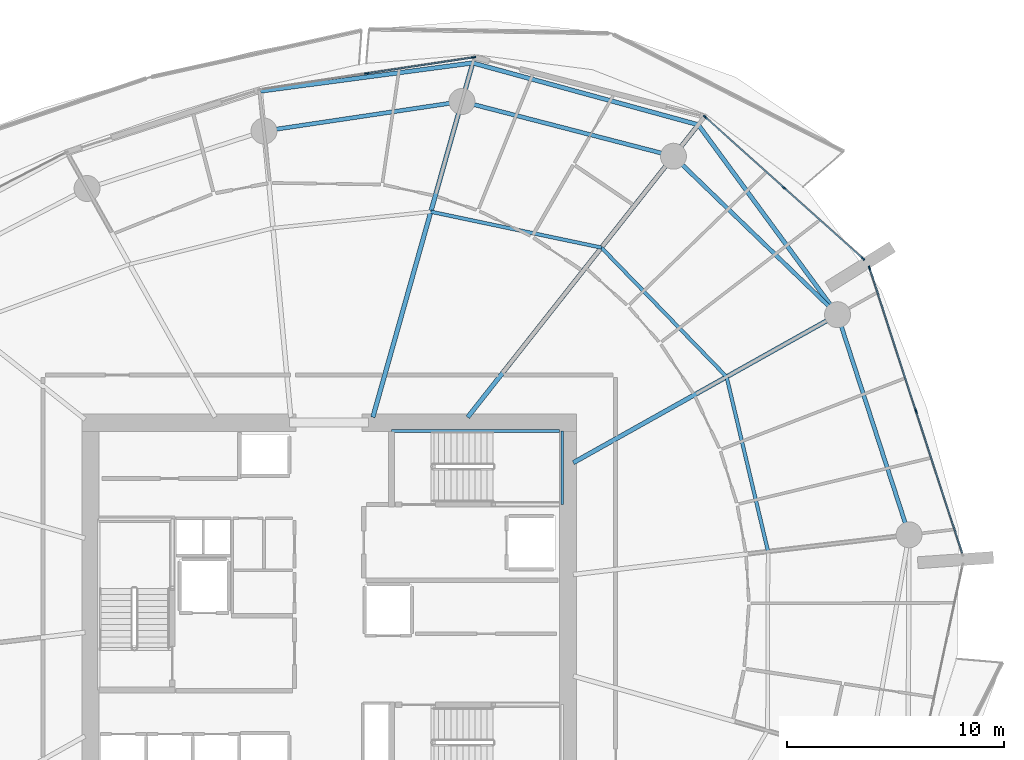
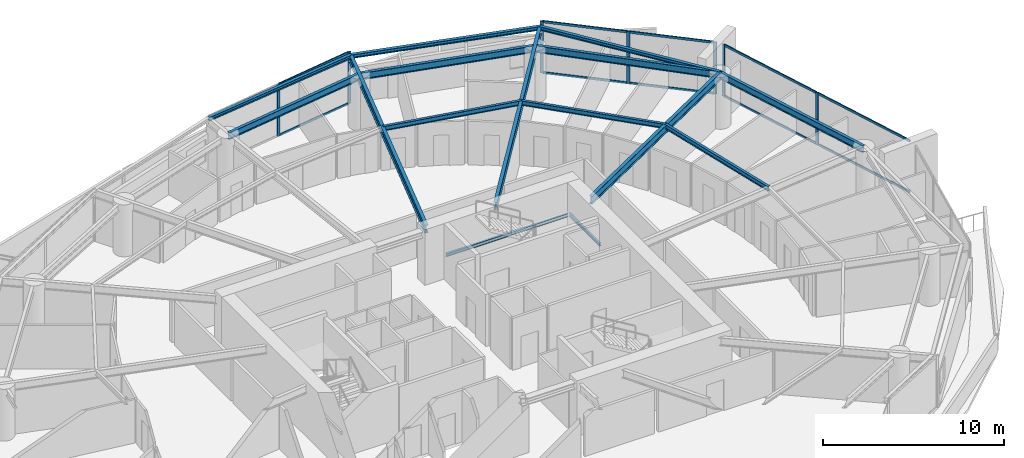
# One storey, part 9 of 23: 17 members, 15 beams, 3 elements without a shape of their own.
"""IFC4 building model written with IfcOpenShell, lengths in metres."""

import ifcopenshell
import ifcopenshell.guid

model = None  # the IFC model being written
_history = None  # IfcOwnerHistory: only IFC2X3 demands one
_inside = {}  # id of a spatial element -> (the spatial element, [elements in it])
_under = {}  # id of a project, library or spatial element -> (it, [spatial elements below it])
_declared = {}  # id of a project -> (the project, [libraries it declares])
_typed = {}  # id of a type object -> (the type object, [elements of that type])
_made_of = {}  # id of a material, layer set ... -> (it, [elements and type objects made of it])


def new_model(schema):
    """Start an empty IFC model of exactly this schema.

    Asked for "IFC4X3", IfcOpenShell would pick the latest addendum, in which some entities
    have other attributes; the version numbers below select the first issue.
    IFC2X3 requires an IfcOwnerHistory on every rooted entity: one is made here for all.
    """
    global model, _history
    if schema == "IFC4X3":
        model = ifcopenshell.file(schema_version=(4, 3, 0, 0))
    else:
        model = ifcopenshell.file(schema=schema)
    _inside.clear()
    _under.clear()
    _declared.clear()
    _typed.clear()
    _made_of.clear()
    _history = None
    if model.schema == "IFC2X3":
        org = make("IfcOrganization", Name="unknown")
        user = make(
            "IfcPersonAndOrganization",
            ThePerson=make("IfcPerson", FamilyName="unknown"),
            TheOrganization=org,
        )
        app = make(
            "IfcApplication",
            ApplicationDeveloper=org,
            Version="unknown",
            ApplicationFullName="unknown",
            ApplicationIdentifier="unknown",
        )
        _history = make(
            "IfcOwnerHistory",
            OwningUser=user,
            OwningApplication=app,
            ChangeAction="ADDED",
            CreationDate=0,
        )
    return model


def make(cls, **values):
    """One entity of the class cls with the attributes given. An attribute that is None is left unset."""
    return model.create_entity(
        cls, **{name: value for name, value in values.items() if value is not None}
    )


def rooted(cls, **values):
    """An entity with a GlobalId (a new one), such as an element, a storey or a relation."""
    return make(cls, GlobalId=ifcopenshell.guid.new(), OwnerHistory=_history, **values)


def si_unit(unit_type, name, prefix=None):
    """IfcSIUnit, for example si_unit("LENGTHUNIT", "METRE", prefix="MILLI")."""
    return make("IfcSIUnit", UnitType=unit_type, Prefix=prefix, Name=name)


def assignment(units):
    """IfcUnitAssignment: the units of a project."""
    return None if units is None else make("IfcUnitAssignment", Units=units)


def point(xyz):
    """IfcCartesianPoint."""
    return None if xyz is None else make("IfcCartesianPoint", Coordinates=xyz)


def direction(xyz):
    """IfcDirection."""
    return None if xyz is None else make("IfcDirection", DirectionRatios=xyz)


def frame(location, z_axis=None, x_axis=None):
    """IfcAxis2Placement3D, a coordinate frame: its origin and axes. An axis left out is left unset."""
    return make(
        "IfcAxis2Placement3D",
        Location=point(location),
        Axis=direction(z_axis),
        RefDirection=direction(x_axis),
    )


def frame_2d(location, x_axis=None):
    """IfcAxis2Placement2D, a coordinate frame in the plane: its origin and x axis."""
    return make(
        "IfcAxis2Placement2D", Location=point(location), RefDirection=direction(x_axis)
    )


def origin():
    """The frame at (0, 0, 0) with its axes left unset."""
    return frame((0.0, 0.0, 0.0))


def origin_2d():
    """The frame at (0, 0) in the plane with its x axis left unset."""
    return frame_2d((0.0, 0.0))


def place(relative_to, where):
    """IfcLocalPlacement: puts the frame where relative to a parent placement (None: the world)."""
    return make(
        "IfcLocalPlacement", PlacementRelTo=relative_to, RelativePlacement=where
    )


def context(
    kind, dimensions, precision=None, world=None, true_north=None, identifier=None
):
    """IfcGeometricRepresentationContext, for example the 3D "Model" context."""
    return make(
        "IfcGeometricRepresentationContext",
        ContextIdentifier=identifier,
        ContextType=kind,
        CoordinateSpaceDimension=dimensions,
        Precision=precision,
        WorldCoordinateSystem=world,
        TrueNorth=true_north,
    )


def subcontext(parent, identifier, kind, view, scale=None):
    """IfcGeometricRepresentationSubContext, for example "Body" below "Model"."""
    return make(
        "IfcGeometricRepresentationSubContext",
        ContextIdentifier=identifier,
        ContextType=kind,
        ParentContext=parent,
        TargetScale=scale,
        TargetView=view,
    )


def project(units=None, contexts=None):
    """IfcProject with its units and contexts."""
    return rooted(
        "IfcProject",
        Name="project",
        RepresentationContexts=contexts,
        UnitsInContext=assignment(units),
    )


def spatial(cls, under=None, at=None, **own):
    """A site, building, storey or space (cls), placed at a placement, below another one or the project."""
    s = rooted(cls, ObjectPlacement=at, **own)
    if under is not None:
        _under.setdefault(under.id(), (under, []))[1].append(s)
    return s


def profile(cls, at=None, kind="AREA", **sizes):
    """A parametric profile (cls). Its sizes go by their IFC names, for example OverallWidth=200.0."""
    return make(cls, ProfileType=kind, Position=at, **sizes)


def rectangle(**sizes):
    """IfcRectangleProfileDef."""
    return profile("IfcRectangleProfileDef", **sizes)


def i_section(**sizes):
    """IfcIShapeProfileDef."""
    return profile("IfcIShapeProfileDef", **sizes)


def extrude(swept, where, along, depth):
    """IfcExtrudedAreaSolid: the profile swept, set in the frame where, extruded along a direction by depth."""
    return make(
        "IfcExtrudedAreaSolid",
        SweptArea=swept,
        Position=where,
        ExtrudedDirection=direction(along),
        Depth=depth,
    )


def shape(context_of_items, identifier, shape_type, items):
    """IfcShapeRepresentation: the items that make up one representation, for example the "Body"."""
    return make(
        "IfcShapeRepresentation",
        ContextOfItems=context_of_items,
        RepresentationIdentifier=identifier,
        RepresentationType=shape_type,
        Items=items,
    )


def material(Name=None, Category=None):
    """IfcMaterial."""
    return make("IfcMaterial", Name=Name, Category=Category)


def layer(
    of_material, thickness, ventilated=None, Name=None, Category=None, Priority=None
):
    """IfcMaterialLayer: one layer of a wall or slab, of a material (None: an air gap)."""
    return make(
        "IfcMaterialLayer",
        Material=of_material,
        LayerThickness=thickness,
        IsVentilated=ventilated,
        Name=Name,
        Category=Category,
        Priority=Priority,
    )


def layer_set(layers, Name=None):
    """IfcMaterialLayerSet."""
    return make("IfcMaterialLayerSet", MaterialLayers=layers, LayerSetName=Name)


def material_profile(
    of_material, cross_section, Name=None, Category=None, Priority=None
):
    """IfcMaterialProfile: a cross section and its material."""
    return make(
        "IfcMaterialProfile",
        Name=Name,
        Material=of_material,
        Profile=cross_section,
        Priority=Priority,
        Category=Category,
    )


def profile_set(profiles, Name=None, composite=None):
    """IfcMaterialProfileSet."""
    return make(
        "IfcMaterialProfileSet",
        Name=Name,
        MaterialProfiles=profiles,
        CompositeProfile=composite,
    )


def made_of(thing, what):
    """Note that an element or type object is made of a material, layer set ...; save() writes the relation."""
    if what is not None:
        _made_of.setdefault(what.id(), (what, []))[1].append(thing)
    return thing


def type_object(cls, material=None, **own):
    """A type object (cls), such as IfcWallType, which elements share."""
    return made_of(rooted(cls, **own), material)


def element(
    cls,
    number,
    at=None,
    inside=None,
    cuts=None,
    type_object=None,
    material=None,
    context=None,
    identifier="Body",
    shape_type=None,
    held_by="IfcProductDefinitionShape",
    body=None,
    shapes=None,
    **own,
):
    """One element of the class cls, such as IfcWall. Its Tag is "e" and its number.

    at: its placement. inside: the storey or other place that contains it. cuts: it is an
    opening in that element (IfcRelVoidsElement). A single representation is given by context,
    identifier, shape_type and body (its items); several are given by shapes. held_by: the class
    of the entity that holds the representations. save() writes the other relations.
    """
    e = rooted(cls, Tag="e%d" % number, ObjectPlacement=at, **own)
    if body is not None:
        shapes = [shape(context, identifier, shape_type, body)]
    if shapes is not None:
        e.Representation = make(held_by, Representations=shapes)
    if inside is not None:
        _inside.setdefault(inside.id(), (inside, []))[1].append(e)
    if cuts is not None:
        rooted(
            "IfcRelVoidsElement", RelatingBuildingElement=cuts, RelatedOpeningElement=e
        )
    if type_object is not None:
        _typed.setdefault(type_object.id(), (type_object, []))[1].append(e)
    return made_of(e, material)


def aggregate(whole, parts):
    """IfcRelAggregates: a whole, such as a stair, and the parts it consists of."""
    return rooted("IfcRelAggregates", RelatingObject=whole, RelatedObjects=parts)


def save(model, path):
    """Write the relations noted so far, then the file.

    IfcRelAggregates (storeys below a building ...), IfcRelContainedInSpatialStructure (elements
    in a storey), IfcRelDefinesByType, IfcRelAssociatesMaterial and IfcRelDeclares: one each for
    every whole, place, type object, material and project.
    """
    for whole, parts in _under.values():
        aggregate(whole, parts)
    for where, things in _inside.values():
        rooted(
            "IfcRelContainedInSpatialStructure",
            RelatedElements=things,
            RelatingStructure=where,
        )
    for kind, things in _typed.values():
        rooted("IfcRelDefinesByType", RelatedObjects=things, RelatingType=kind)
    for what, things in _made_of.values():
        rooted("IfcRelAssociatesMaterial", RelatedObjects=things, RelatingMaterial=what)
    for by, libraries in _declared.values():
        rooted("IfcRelDeclares", RelatingContext=by, RelatedDefinitions=libraries)
    model.write(path)


model = new_model("IFC4")

# Units and contexts
model_context = context("Model", 3, precision=1e-05, world=origin(), true_north=direction((0.0, 1.0)))
body_context = subcontext(model_context, "Body", "Model", "MODEL_VIEW")
ifc_project = project(units=[si_unit("LENGTHUNIT", "METRE"), si_unit("AREAUNIT", "SQUARE_METRE"), si_unit("VOLUMEUNIT", "CUBIC_METRE"), si_unit("PLANEANGLEUNIT", "RADIAN"), si_unit("MASSUNIT", "GRAM", prefix="KILO")], contexts=[model_context])

# Site, building, storey
site_placement = place(None, origin())
site = spatial("IfcSite", under=ifc_project, at=site_placement, CompositionType="ELEMENT")
building_placement = place(site_placement, origin())
building = spatial("IfcBuilding", under=site, at=building_placement, Name="Kazma Halo Residences", CompositionType="ELEMENT")
storey_placement = place(building_placement, frame((0.0, 0.0, 108.89990234375)))
storey = spatial("IfcBuildingStorey", under=building, at=storey_placement, Name="L27", CompositionType="ELEMENT", Elevation=108.89990234375)

# Beams
ifc_material_1 = material(Name="Steel S355", Category="steel")
ifc_material_profile_1 = material_profile(ifc_material_1, i_section(OverallWidth=0.201904296875, OverallDepth=0.2470703125, WebThickness=0.00732421875, FlangeThickness=0.010986328125, FilletRadius=0.011962890625, at=origin_2d()), Name="W250x49.1")
ifc_profile_set_1 = profile_set([ifc_material_profile_1], Name="Steel S355")
beam_type_1 = type_object("IfcBeamType", Name="BM-BAL-CANT", PredefinedType="BEAM", material=ifc_profile_set_1)
beam_1_placement = place(storey_placement, frame((71.9033203125, 55.386474609375, 3.376708984375), z_axis=(-0.59144927253, 0.806342209005, 0.0), x_axis=(-0.806342209005, -0.59144927253, 0.0)))
element("IfcBeam", 1, at=beam_1_placement, inside=storey, type_object=beam_type_1, Name="L27 wave-balcony lead tie beam 01", PredefinedType="BEAM", context=body_context, shape_type="SweptSolid", body=[
    extrude(i_section(OverallWidth=0.201904296875, OverallDepth=0.2470703125, WebThickness=0.00732421875, FlangeThickness=0.010986328125, FilletRadius=0.011962890625, at=origin_2d()), origin(), (0.0, 0.0, 1.0), 10.87939453125),
])
beam_2_placement = place(storey_placement, frame((65.46875, 64.158935546875, 3.376708984375), z_axis=(-0.964396617, 0.264460139, 0.0), x_axis=(-0.264460139, -0.964396617, 0.0)))
element("IfcBeam", 2, at=beam_2_placement, inside=storey, type_object=beam_type_1, Name="L27 wave-balcony tie beam 02", PredefinedType="BEAM", context=body_context, shape_type="SweptSolid", body=[
    extrude(i_section(OverallWidth=0.201904296875, OverallDepth=0.2470703125, WebThickness=0.00732421875, FlangeThickness=0.010986328125, FilletRadius=0.011962890625, at=origin_2d()), origin(), (0.0, 0.0, 1.0), 10.79833984375),
])
beam_3_placement = place(storey_placement, frame((55.054931640625, 67.0146484375, 3.376708984375), z_axis=(-0.991294955884, -0.131659828494, 0.0), x_axis=(0.131659828494, -0.991294955884, 0.0)))
element("IfcBeam", 3, at=beam_3_placement, inside=storey, type_object=beam_type_1, Name="L27 wave-balcony tie beam 03", PredefinedType="BEAM", context=body_context, shape_type="SweptSolid", body=[
    extrude(i_section(OverallWidth=0.201904296875, OverallDepth=0.2470703125, WebThickness=0.00732421875, FlangeThickness=0.010986328125, FilletRadius=0.011962890625, at=origin_2d()), origin(), (0.0, 0.0, 1.0), 9.902099609375),
])
ifc_material_profile_2 = material_profile(ifc_material_1, i_section(OverallWidth=0.208984375, OverallDepth=0.532958984375, WebThickness=0.01025390625, FlangeThickness=0.015625, FilletRadius=0.01611328125, at=origin_2d()), Name="W530x92")
ifc_profile_set_2 = profile_set([ifc_material_profile_2], Name="Steel S355")
beam_type_2 = type_object("IfcBeamType", Name="BM-RAD-W530", PredefinedType="BEAM", material=ifc_profile_set_2)
beam_4_placement = place(storey_placement, frame((59.699951171875, 48.55224609375, 3.233642578125), z_axis=(0.87249559794, 0.488621972055, 0.0), x_axis=(-0.488621972055, 0.87249559794, 0.0)))
element("IfcBeam", 4, at=beam_4_placement, inside=storey, type_object=beam_type_2, Name="L27 radial floor beam 01", PredefinedType="BEAM", context=body_context, shape_type="SweptSolid", body=[
    extrude(i_section(OverallWidth=0.208984375, OverallDepth=0.532958984375, WebThickness=0.01025390625, FlangeThickness=0.015625, FilletRadius=0.01611328125, at=origin_2d()), origin(), (0.0, 0.0, 1.0), 13.98681640625),
])
beam_5_placement = place(storey_placement, frame((54.819091796875, 50.64990234375, 3.233642578125), z_axis=(0.619093774822, 0.785317068436, 0.0), x_axis=(-0.785317068436, 0.619093774822, 0.0)))
element("IfcBeam", 5, at=beam_5_placement, inside=storey, type_object=beam_type_2, Name="L27 radial floor beam 02", PredefinedType="BEAM", context=body_context, shape_type="SweptSolid", body=[
    extrude(i_section(OverallWidth=0.208984375, OverallDepth=0.532958984375, WebThickness=0.01025390625, FlangeThickness=0.015625, FilletRadius=0.01611328125, at=origin_2d()), origin(), (0.0, 0.0, 1.0), 17.201904296875),
])
beam_6_placement = place(storey_placement, frame((50.439697265625, 50.64990234375, 3.233642578125), z_axis=(0.271434928076, 0.962456793742, 0.0), x_axis=(-0.962456793742, 0.271434928076, 0.0)))
element("IfcBeam", 6, at=beam_6_placement, inside=storey, type_object=beam_type_2, Name="L27 radial floor beam 03", PredefinedType="BEAM", context=body_context, shape_type="SweptSolid", body=[
    extrude(i_section(OverallWidth=0.208984375, OverallDepth=0.532958984375, WebThickness=0.01025390625, FlangeThickness=0.015625, FilletRadius=0.01611328125, at=origin_2d()), origin(), (0.0, 0.0, 1.0), 17.003173828125),
])
ifc_material_profile_3 = material_profile(ifc_material_1, i_section(OverallWidth=0.1650390625, OverallDepth=0.31005859375, WebThickness=0.005859375, FlangeThickness=0.009765625, FilletRadius=0.011962890625, at=origin_2d()), Name="W310x38.7")
ifc_profile_set_3 = profile_set([ifc_material_profile_3], Name="Steel S355")
beam_type_3 = type_object("IfcBeamType", Name="BM-SEC-W310B", PredefinedType="JOIST", material=ifc_profile_set_3)
beam_7_placement = place(storey_placement, frame((66.77783203125, 52.51611328125, 3.34521484375), z_axis=(-0.695765378161, 0.718269126827, 0.0), x_axis=(-0.718269126827, -0.695765378161, 0.0)))
element("IfcBeam", 7, at=beam_7_placement, inside=storey, type_object=beam_type_3, Name="L27 circumferential floor joist 01", PredefinedType="JOIST", context=body_context, shape_type="SweptSolid", body=[
    extrude(i_section(OverallWidth=0.1650390625, OverallDepth=0.31005859375, WebThickness=0.005859375, FlangeThickness=0.009765625, FilletRadius=0.011962890625, at=origin_2d()), origin(), (0.0, 0.0, 1.0), 8.310302734375),
])
beam_8_placement = place(storey_placement, frame((60.995849609375, 58.485107421875, 3.34521484375), z_axis=(-0.978607976751, 0.205733876255, 0.0), x_axis=(-0.205733876255, -0.978607976751, 0.0)))
element("IfcBeam", 8, at=beam_8_placement, inside=storey, type_object=beam_type_3, Name="L27 circumferential floor joist 02", PredefinedType="JOIST", context=body_context, shape_type="SweptSolid", body=[
    extrude(i_section(OverallWidth=0.1650390625, OverallDepth=0.31005859375, WebThickness=0.005859375, FlangeThickness=0.009765625, FilletRadius=0.011962890625, at=origin_2d()), origin(), (0.0, 0.0, 1.0), 8.051513671875),
])
beam_9_placement = place(storey_placement, frame((68.69384765625, 44.44921875, 3.34521484375), z_axis=(-0.231087064161, 0.972933075179, 0.0), x_axis=(-0.972933075179, -0.231087064161, 0.0)))
element("IfcBeam", 9, at=beam_9_placement, inside=storey, type_object=beam_type_3, Name="L27 circumferential floor joist 16", PredefinedType="JOIST", context=body_context, shape_type="SweptSolid", body=[
    extrude(i_section(OverallWidth=0.1650390625, OverallDepth=0.31005859375, WebThickness=0.005859375, FlangeThickness=0.009765625, FilletRadius=0.011962890625, at=origin_2d()), origin(), (0.0, 0.0, 1.0), 8.291259765625),
])
ifc_material_profile_4 = material_profile(ifc_material_1, i_section(OverallWidth=0.18994140625, OverallDepth=0.45703125, WebThickness=0.009033203125, FlangeThickness=0.014404296875, FilletRadius=0.01611328125, at=origin_2d()), Name="W460x74")
ifc_profile_set_4 = profile_set([ifc_material_profile_4], Name="Steel S355")
beam_type_4 = type_object("IfcBeamType", Name="BM-SPN-W460", PredefinedType="BEAM", material=ifc_profile_set_4)
beam_10_placement = place(storey_placement, frame((71.9033203125, 55.386474609375, 3.271484375), z_axis=(-0.719336783114, 0.694661494873, 0.0), x_axis=(-0.694661494873, -0.719336783114, 0.0)))
element("IfcBeam", 10, at=beam_10_placement, inside=storey, type_object=beam_type_4, Name="L27 perimeter ring beam 01", PredefinedType="BEAM", context=body_context, shape_type="SweptSolid", body=[
    extrude(i_section(OverallWidth=0.18994140625, OverallDepth=0.45703125, WebThickness=0.009033203125, FlangeThickness=0.014404296875, FilletRadius=0.01611328125, at=origin_2d()), origin(), (0.0, 0.0, 1.0), 10.537353515625),
])
beam_11_placement = place(storey_placement, frame((64.323486328125, 62.706298828125, 3.271484375), z_axis=(-0.968124968683, 0.250467652626, 0.0), x_axis=(-0.250467652626, -0.968124968683, 0.0)))
element("IfcBeam", 11, at=beam_11_placement, inside=storey, type_object=beam_type_4, Name="L27 perimeter ring beam 02", PredefinedType="BEAM", context=body_context, shape_type="SweptSolid", body=[
    extrude(i_section(OverallWidth=0.18994140625, OverallDepth=0.45703125, WebThickness=0.009033203125, FlangeThickness=0.014404296875, FilletRadius=0.01611328125, at=origin_2d()), origin(), (0.0, 0.0, 1.0), 10.092529296875),
])
beam_12_placement = place(storey_placement, frame((54.552734375, 65.234130859375, 3.271484375), z_axis=(-0.989034176303, -0.147686824414, 0.0), x_axis=(0.147686824414, -0.989034176303, 0.0)))
element("IfcBeam", 12, at=beam_12_placement, inside=storey, type_object=beam_type_4, Name="L27 perimeter ring beam 03", PredefinedType="BEAM", context=body_context, shape_type="SweptSolid", body=[
    extrude(i_section(OverallWidth=0.18994140625, OverallDepth=0.45703125, WebThickness=0.009033203125, FlangeThickness=0.014404296875, FilletRadius=0.01611328125, at=origin_2d()), origin(), (0.0, 0.0, 1.0), 9.242431640625),
])
beam_13_placement = place(storey_placement, frame((75.20654296875, 45.22021484375, 3.271484375), z_axis=(-0.309017385422, 0.951056389236, 0.0), x_axis=(-0.951056389236, -0.309017385422, 0.0)))
element("IfcBeam", 13, at=beam_13_placement, inside=storey, type_object=beam_type_4, Name="L27 perimeter ring beam 16", PredefinedType="BEAM", context=body_context, shape_type="SweptSolid", body=[
    extrude(i_section(OverallWidth=0.18994140625, OverallDepth=0.45703125, WebThickness=0.009033203125, FlangeThickness=0.014404296875, FilletRadius=0.01611328125, at=origin_2d()), origin(), (0.0, 0.0, 1.0), 10.689453125),
])
ifc_material_profile_5 = material_profile(ifc_material_1, i_section(OverallWidth=0.133056640625, OverallDepth=0.20703125, WebThickness=0.005859375, FlangeThickness=0.00830078125, FilletRadius=0.010009765625, at=origin_2d()), Name="W200x26.6")
ifc_profile_set_5 = profile_set([ifc_material_profile_5], Name="Steel S355")
beam_type_5 = type_object("IfcBeamType", Name="BM-TRIM-W200", PredefinedType="BEAM", material=ifc_profile_set_5)
beam_14_placement = place(storey_placement, frame((51.31005859375, 50.02001953125, 1.570068359375), z_axis=(1.0, 0.0, 0.0), x_axis=(0.0, 1.0, 0.0)))
element("IfcBeam", 14, at=beam_14_placement, inside=storey, type_object=beam_type_5, Name="L27 ST-02 landing north wall ledger", PredefinedType="BEAM", context=body_context, shape_type="SweptSolid", body=[
    extrude(i_section(OverallWidth=0.133056640625, OverallDepth=0.20703125, WebThickness=0.005859375, FlangeThickness=0.00830078125, FilletRadius=0.010009765625, at=origin_2d()), origin(), (0.0, 0.0, 1.0), 7.760009765625),
])
beam_15_placement = place(storey_placement, frame((59.18994140625, 46.6201171875, 1.570068359375), z_axis=(0.0, 1.0, 0.0), x_axis=(-1.0, 0.0, 0.0)))
element("IfcBeam", 15, at=beam_15_placement, inside=storey, type_object=beam_type_5, Name="L27 ST-02 landing end wall ledger", PredefinedType="BEAM", context=body_context, shape_type="SweptSolid", body=[
    extrude(i_section(OverallWidth=0.133056640625, OverallDepth=0.20703125, WebThickness=0.005859375, FlangeThickness=0.00830078125, FilletRadius=0.010009765625, at=origin_2d()), origin(), (0.0, 0.0, 1.0), 3.39990234375),
])

# Curtain wall, members
ifc_material_2 = material(Name="Aluminium AW-6063 T6 and Triple-Silver Low-E Glass", Category="aluminium")
ifc_layer = layer(ifc_material_2, 0.199951171875)
ifc_layer_set = layer_set([ifc_layer], Name="Aluminium AW-6063 T6 and Triple-Silver Low-E Glass")
curtain_wall_type = type_object("IfcCurtainWallType", Name="CW-SYS-3", PredefinedType="NOTDEFINED", material=ifc_layer_set)
curtain_wall_1_placement = place(storey_placement, origin())
curtain_wall_1 = element("IfcCurtainWall", 16, at=curtain_wall_1_placement, inside=storey, type_object=curtain_wall_type, Name="L27 unitised curtain wall B01", PredefinedType="NOTDEFINED")
ifc_material_3 = material(Name="Aluminium AW-6063 T6", Category="aluminium")
ifc_material_profile_6 = material_profile(ifc_material_3, rectangle(XDim=0.070068359375, YDim=0.199951171875, at=origin_2d()), Name="CWM-70x200")
ifc_profile_set_6 = profile_set([ifc_material_profile_6], Name="Aluminium AW-6063 T6")
member_type_1 = type_object("IfcMemberType", Name="CW-SYS-3-MUL", PredefinedType="MULLION", material=ifc_profile_set_6)
member_1_placement = place(storey_placement, frame((73.071044921875, 57.981201171875, 0.0), z_axis=(0.0, 0.0, 1.0), x_axis=(-0.667794957375, -0.744345279359, 0.0)))
member_1 = element("IfcMember", 17, at=member_1_placement, type_object=member_type_1, Name="CWS-3 mullion 1", PredefinedType="MULLION", context=body_context, shape_type="SweptSolid", body=[
    extrude(rectangle(XDim=0.070068359375, YDim=0.199951171875, at=origin_2d()), origin(), (0.0, 0.0, 1.0), 3.5),
])
member_2_placement = place(storey_placement, frame((69.431396484375, 61.24658203125, 0.0), z_axis=(0.0, 0.0, 1.0), x_axis=(-0.667794957375, -0.744345279359, 0.0)))
member_2 = element("IfcMember", 18, at=member_2_placement, type_object=member_type_1, Name="CWS-3 mullion 2", PredefinedType="MULLION", context=body_context, shape_type="SweptSolid", body=[
    extrude(rectangle(XDim=0.070068359375, YDim=0.199951171875, at=origin_2d()), origin(), (0.0, 0.0, 1.0), 3.5),
])
member_3_placement = place(storey_placement, frame((65.791748046875, 64.51220703125, 0.0), z_axis=(0.0, 0.0, 1.0), x_axis=(-0.667794957375, -0.744345279359, 0.0)))
member_3 = element("IfcMember", 19, at=member_3_placement, type_object=member_type_1, Name="CWS-3 mullion 3", PredefinedType="MULLION", context=body_context, shape_type="SweptSolid", body=[
    extrude(rectangle(XDim=0.070068359375, YDim=0.199951171875, at=origin_2d()), origin(), (0.0, 0.0, 1.0), 3.5),
])

curtain_wall_2_placement = place(storey_placement, origin())
curtain_wall_2 = element("IfcCurtainWall", 20, at=curtain_wall_2_placement, inside=storey, type_object=curtain_wall_type, Name="L27 unitised curtain wall B03", PredefinedType="NOTDEFINED")
member_4_placement = place(storey_placement, frame((55.09423828125, 67.271728515625, 0.0), z_axis=(0.0, 0.0, 1.0), x_axis=(0.148717330409, -0.988879747814, 0.0)))
member_4 = element("IfcMember", 21, at=member_4_placement, type_object=member_type_1, Name="CWS-3 mullion 1", PredefinedType="MULLION", context=body_context, shape_type="SweptSolid", body=[
    extrude(rectangle(XDim=0.070068359375, YDim=0.199951171875, at=origin_2d()), origin(), (0.0, 0.0, 1.0), 3.5),
])
member_5_placement = place(storey_placement, frame((50.156982421875, 66.529296875, 0.0), z_axis=(0.0, 0.0, 1.0), x_axis=(0.148717330409, -0.988879747814, 0.0)))
member_5 = element("IfcMember", 22, at=member_5_placement, type_object=member_type_1, Name="CWS-3 mullion 2", PredefinedType="MULLION", context=body_context, shape_type="SweptSolid", body=[
    extrude(rectangle(XDim=0.070068359375, YDim=0.199951171875, at=origin_2d()), origin(), (0.0, 0.0, 1.0), 3.5),
])

curtain_wall_3_placement = place(storey_placement, origin())
curtain_wall_3 = element("IfcCurtainWall", 23, at=curtain_wall_3_placement, inside=storey, type_object=curtain_wall_type, Name="L27 unitised curtain wall B16", PredefinedType="NOTDEFINED")
member_6_placement = place(storey_placement, frame((75.52099609375, 50.942138671875, 0.0), z_axis=(0.0, 0.0, 1.0), x_axis=(-0.951057722508, -0.309013282008, 0.0)))
member_6 = element("IfcMember", 24, at=member_6_placement, type_object=member_type_1, Name="CWS-3 mullion 2", PredefinedType="MULLION", context=body_context, shape_type="SweptSolid", body=[
    extrude(rectangle(XDim=0.070068359375, YDim=0.199951171875, at=origin_2d()), origin(), (0.0, 0.0, 1.0), 3.5),
])
member_7_placement = place(storey_placement, frame((73.376708984375, 57.54150390625, 0.0), z_axis=(0.0, 0.0, 1.0), x_axis=(-0.951057722508, -0.309013282008, 0.0)))
member_7 = element("IfcMember", 25, at=member_7_placement, type_object=member_type_1, Name="CWS-3 mullion 3", PredefinedType="MULLION", context=body_context, shape_type="SweptSolid", body=[
    extrude(rectangle(XDim=0.070068359375, YDim=0.199951171875, at=origin_2d()), origin(), (0.0, 0.0, 1.0), 3.5),
])

# Member
ifc_material_profile_7 = material_profile(ifc_material_3, rectangle(XDim=0.070068359375, YDim=0.14990234375, at=origin_2d()), Name="CWT-70x150")
ifc_profile_set_7 = profile_set([ifc_material_profile_7], Name="Aluminium AW-6063 T6")
member_type_2 = type_object("IfcMemberType", Name="CW-SYS-3-TRN", PredefinedType="USERDEFINED", material=ifc_profile_set_7)
member_8_placement = place(storey_placement, frame((73.045166015625, 58.004638671875, 0.03515625), z_axis=(-0.744338471453, 0.667802545603, 0.0), x_axis=(-0.667802545603, -0.744338471453, 0.0)))
member_8 = element("IfcMember", 26, at=member_8_placement, type_object=member_type_2, Name="CWS-3 transom 1.1", ObjectType="TRANSOM", PredefinedType="USERDEFINED", context=body_context, shape_type="SweptSolid", body=[
    extrude(rectangle(XDim=0.070068359375, YDim=0.14990234375, at=origin_2d()), origin(), (0.0, 0.0, 1.0), 4.81982421875),
])

member_9_placement = place(storey_placement, frame((73.045166015625, 58.004638671875, 3.465087890625), z_axis=(-0.744338471453, 0.667802545603, 0.0), x_axis=(-0.667802545603, -0.744338471453, 0.0)))
member_9 = element("IfcMember", 27, at=member_9_placement, type_object=member_type_2, Name="CWS-3 transom 1.2", ObjectType="TRANSOM", PredefinedType="USERDEFINED", context=body_context, shape_type="SweptSolid", body=[
    extrude(rectangle(XDim=0.070068359375, YDim=0.14990234375, at=origin_2d()), origin(), (0.0, 0.0, 1.0), 4.81982421875),
])

member_10_placement = place(storey_placement, frame((69.4052734375, 61.27001953125, 0.03515625), z_axis=(-0.744338471453, 0.667802545603, 0.0), x_axis=(-0.667802545603, -0.744338471453, 0.0)))
member_10 = element("IfcMember", 28, at=member_10_placement, type_object=member_type_2, Name="CWS-3 transom 2.1", ObjectType="TRANSOM", PredefinedType="USERDEFINED", context=body_context, shape_type="SweptSolid", body=[
    extrude(rectangle(XDim=0.070068359375, YDim=0.14990234375, at=origin_2d()), origin(), (0.0, 0.0, 1.0), 4.81982421875),
])

member_11_placement = place(storey_placement, frame((69.4052734375, 61.27001953125, 3.465087890625), z_axis=(-0.744338471453, 0.667802545603, 0.0), x_axis=(-0.667802545603, -0.744338471453, 0.0)))
member_11 = element("IfcMember", 29, at=member_11_placement, type_object=member_type_2, Name="CWS-3 transom 2.2", ObjectType="TRANSOM", PredefinedType="USERDEFINED", context=body_context, shape_type="SweptSolid", body=[
    extrude(rectangle(XDim=0.070068359375, YDim=0.14990234375, at=origin_2d()), origin(), (0.0, 0.0, 1.0), 4.81982421875),
])

aggregate(curtain_wall_1, [member_1, member_2, member_3, member_8, member_9, member_10, member_11])

member_12_placement = place(storey_placement, frame((55.0595703125, 67.2666015625, 0.03515625), z_axis=(-0.988876977991, -0.148735746878, 0.0), x_axis=(0.148735746878, -0.988876977991, 0.0)))
member_12 = element("IfcMember", 30, at=member_12_placement, type_object=member_type_2, Name="CWS-3 transom 1.1", ObjectType="TRANSOM", PredefinedType="USERDEFINED", context=body_context, shape_type="SweptSolid", body=[
    extrude(rectangle(XDim=0.070068359375, YDim=0.14990234375, at=origin_2d()), origin(), (0.0, 0.0, 1.0), 4.922607421875),
])

member_13_placement = place(storey_placement, frame((55.0595703125, 67.2666015625, 3.465087890625), z_axis=(-0.988876977991, -0.148735746878, 0.0), x_axis=(0.148735746878, -0.988876977991, 0.0)))
member_13 = element("IfcMember", 31, at=member_13_placement, type_object=member_type_2, Name="CWS-3 transom 1.2", ObjectType="TRANSOM", PredefinedType="USERDEFINED", context=body_context, shape_type="SweptSolid", body=[
    extrude(rectangle(XDim=0.070068359375, YDim=0.14990234375, at=origin_2d()), origin(), (0.0, 0.0, 1.0), 4.922607421875),
])

aggregate(curtain_wall_2, [member_4, member_5, member_12, member_13])

member_14_placement = place(storey_placement, frame((77.654541015625, 44.3759765625, 0.03515625), z_axis=(-0.309000079699, 0.95106201204, 0.0), x_axis=(-0.95106201204, -0.309000079699, 0.0)))
member_14 = element("IfcMember", 32, at=member_14_placement, type_object=member_type_2, Name="CWS-3 transom 1.1", ObjectType="TRANSOM", PredefinedType="USERDEFINED", context=body_context, shape_type="SweptSolid", body=[
    extrude(rectangle(XDim=0.070068359375, YDim=0.14990234375, at=origin_2d()), origin(), (0.0, 0.0, 1.0), 6.869140625),
])

member_15_placement = place(storey_placement, frame((77.654541015625, 44.3759765625, 3.465087890625), z_axis=(-0.309000079699, 0.95106201204, 0.0), x_axis=(-0.95106201204, -0.309000079699, 0.0)))
member_15 = element("IfcMember", 33, at=member_15_placement, type_object=member_type_2, Name="CWS-3 transom 1.2", ObjectType="TRANSOM", PredefinedType="USERDEFINED", context=body_context, shape_type="SweptSolid", body=[
    extrude(rectangle(XDim=0.070068359375, YDim=0.14990234375, at=origin_2d()), origin(), (0.0, 0.0, 1.0), 6.869140625),
])

member_16_placement = place(storey_placement, frame((75.51025390625, 50.975341796875, 0.03515625), z_axis=(-0.309000079699, 0.95106201204, 0.0), x_axis=(-0.95106201204, -0.309000079699, 0.0)))
member_16 = element("IfcMember", 34, at=member_16_placement, type_object=member_type_2, Name="CWS-3 transom 2.1", ObjectType="TRANSOM", PredefinedType="USERDEFINED", context=body_context, shape_type="SweptSolid", body=[
    extrude(rectangle(XDim=0.070068359375, YDim=0.14990234375, at=origin_2d()), origin(), (0.0, 0.0, 1.0), 6.869140625),
])

member_17_placement = place(storey_placement, frame((75.51025390625, 50.975341796875, 3.465087890625), z_axis=(-0.309000079699, 0.95106201204, 0.0), x_axis=(-0.95106201204, -0.309000079699, 0.0)))
member_17 = element("IfcMember", 35, at=member_17_placement, type_object=member_type_2, Name="CWS-3 transom 2.2", ObjectType="TRANSOM", PredefinedType="USERDEFINED", context=body_context, shape_type="SweptSolid", body=[
    extrude(rectangle(XDim=0.070068359375, YDim=0.14990234375, at=origin_2d()), origin(), (0.0, 0.0, 1.0), 6.869140625),
])

aggregate(curtain_wall_3, [member_6, member_7, member_14, member_15, member_16, member_17])

save(model, "model.ifc")
